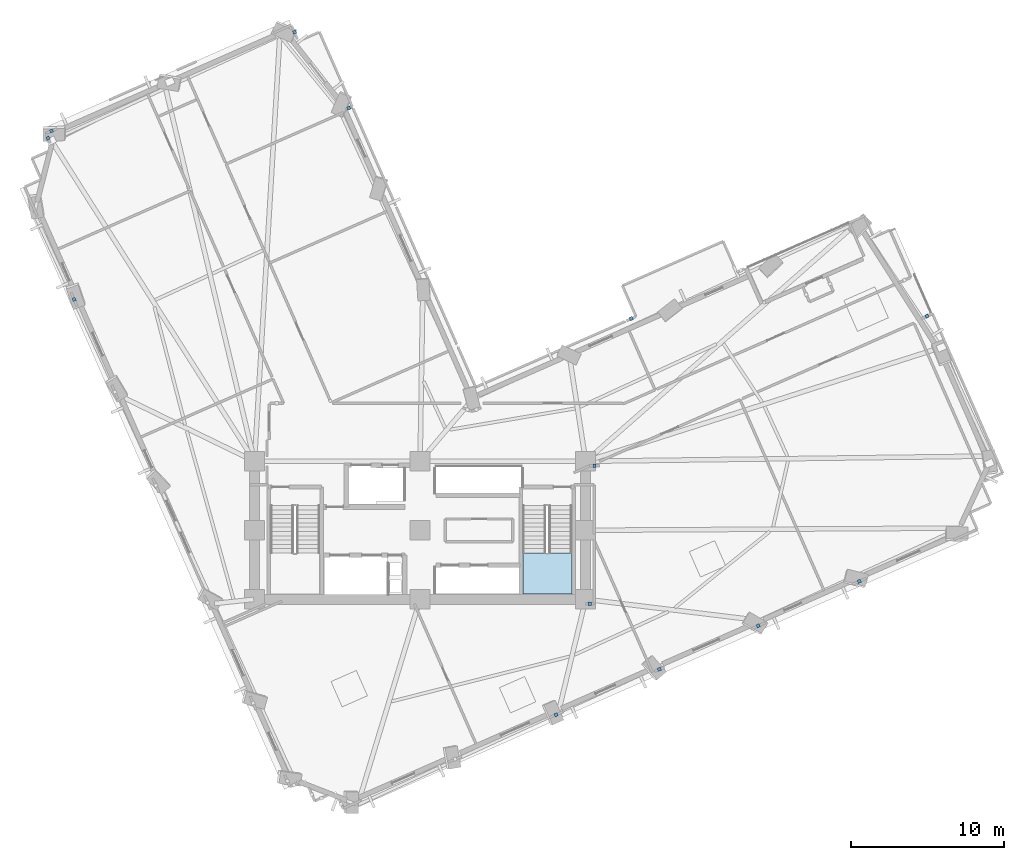
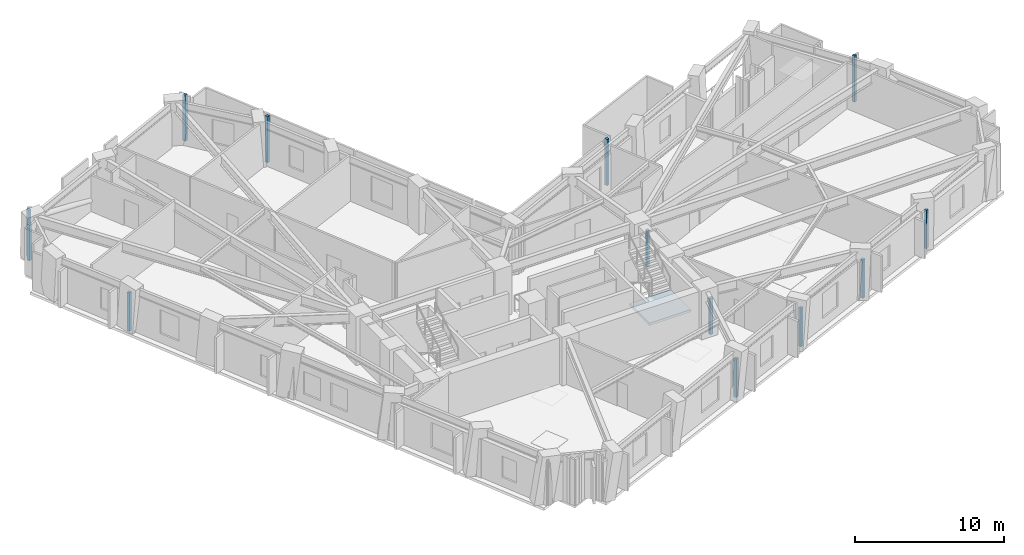
# One storey, part 5 of 15: 13 plates, 1 slab, 1 element without a shape of its own.
"""IFC4 building model written with IfcOpenShell, lengths in metres."""

from ifc_helpers import new_model, si_unit, direction, frame, origin, origin_2d, place, context, subcontext, project, spatial, polyline, rectangle, outline, extrude, material, layer, layer_set, type_object, element, aggregate, save


model = new_model("IFC4")

# Units and contexts
model_context = context("Model", 3, precision=1e-05, world=origin(), true_north=direction((0.0, 1.0)))
body_context = subcontext(model_context, "Body", "Model", "MODEL_VIEW")
ifc_project = project(units=[si_unit("LENGTHUNIT", "METRE"), si_unit("AREAUNIT", "SQUARE_METRE"), si_unit("VOLUMEUNIT", "CUBIC_METRE"), si_unit("PLANEANGLEUNIT", "RADIAN"), si_unit("MASSUNIT", "GRAM", prefix="KILO")], contexts=[model_context])

# Site, building, storey
site_placement = place(None, origin())
site = spatial("IfcSite", under=ifc_project, at=site_placement, CompositionType="ELEMENT")
building_placement = place(site_placement, origin())
building = spatial("IfcBuilding", under=site, at=building_placement, Name="Gaonmaruhae Medical Tower", CompositionType="ELEMENT")
storey_placement = place(building_placement, frame((0.0, 0.0, 124.39990234375)))
storey = spatial("IfcBuildingStorey", under=building, at=storey_placement, Name="L29", CompositionType="ELEMENT", Elevation=124.39990234375)

# Plates
ifc_material_1 = material(Name="Anodised aluminium 6063-T6", Category="aluminium")
ifc_layer_1 = layer(ifc_material_1, 0.011962890625)
ifc_layer_set_1 = layer_set([ifc_layer_1], Name="Anodised aluminium 6063-T6")
plate_type = type_object("IfcPlateType", Name="PP-01 Interior Partition Corner Stiffener Plate", PredefinedType="SHEET", material=ifc_layer_set_1)
plate_1_placement = place(storey_placement, frame((33.669921875, 0.27099609375, 0.0), z_axis=(0.0, 0.0, 1.0), x_axis=(-0.915402835884, -0.402539001907, 0.0)))
element("IfcPlate", 1, at=plate_1_placement, inside=storey, type_object=plate_type, Name="L29 Partition Corner Stiffener Plate PLT-L29-JGP-PW016", PredefinedType="SHEET", context=body_context, shape_type="SweptSolid", body=[
    extrude(rectangle(XDim=0.219970703125, YDim=0.219970703125, at=origin_2d()), origin(), (0.0, 0.0, 1.0), 3.1650390625),
])
for number, where, z_axis, x_axis, name in (
    (2, (35.875, 7.5, 0.0), (0.0, 0.0, 1.0), (1.0, 0.0, 0.0), "L29 Partition Corner Stiffener Plate PLT-L29-JGP-PW017"),
    (3, (36.1708984375, 16.5, 0.0), (0.0, 0.0, 1.0), (1.0, 0.0, 0.0), "L29 Partition Corner Stiffener Plate PLT-L29-JGP-PW020"),
):
    element("IfcPlate", number, at=place(storey_placement, frame(where, z_axis=z_axis, x_axis=x_axis)), inside=storey, type_object=plate_type, Name=name, PredefinedType="SHEET", context=body_context, shape_type="SweptSolid", body=[
        extrude(rectangle(XDim=0.219970703125, YDim=0.219970703125, at=origin_2d()), origin(), (0.0, 0.0, 1.0), 2.965087890625),
    ])
for number, where, z_axis, x_axis, name in (
    (4, (46.849609375, 6.070068359375, 0.0), (0.0, 0.0, 1.0), (-0.915388784064, -0.402570955249, 0.0), "L29 Partition Corner Stiffener Plate PLT-L29-JGP-PW023"),
    (5, (40.402587890625, 3.23291015625, 0.0), (0.0, 0.0, 1.0), (-0.915381757736, -0.402586931735, 0.0), "L29 Partition Corner Stiffener Plate PLT-L29-JGP-PW024"),
    (6, (53.439453125, 8.968994140625, 0.0), (0.0, 0.0, 1.0), (-0.915332565632, -0.40269876371, 0.0), "L29 Partition Corner Stiffener Plate PLT-L29-JGP-PW033"),
    (7, (2.234619140625, 27.35546875, 0.0), (0.0, 0.0, 1.0), (-0.402954357077, 0.915220075235, 0.0), "L29 Partition Corner Stiffener Plate PLT-L29-JGP-PW047"),
):
    element("IfcPlate", number, at=place(storey_placement, frame(where, z_axis=z_axis, x_axis=x_axis)), inside=storey, type_object=plate_type, Name=name, PredefinedType="SHEET", context=body_context, shape_type="SweptSolid", body=[
        extrude(rectangle(XDim=0.219970703125, YDim=0.219970703125, at=origin_2d()), origin(), (0.0, 0.0, 1.0), 3.1650390625),
    ])
plate_2_placement = place(storey_placement, frame((0.534423828125, 37.8740234375, 0.0), z_axis=(0.0, 0.0, 1.0), x_axis=(-0.402682788081, 0.915339593912, 0.0)))
element("IfcPlate", 8, at=plate_2_placement, inside=storey, type_object=plate_type, Name="L29 Partition Corner Stiffener Plate PLT-L29-JGP-PW049", PredefinedType="SHEET", context=body_context, shape_type="SweptSolid", body=[
    extrude(rectangle(XDim=0.219970703125, YDim=0.219970703125, at=origin_2d()), origin(), (0.0, 0.0, 1.0), 2.965087890625),
])
for number, where, z_axis, x_axis, name in (
    (9, (0.761474609375, 38.341552734375, 0.0), (0.0, 0.0, 1.0), (0.915318508236, 0.402730714598, 0.0), "L29 Partition Corner Stiffener Plate PLT-L29-JGP-PW050"),
    (10, (38.564453125, 26.110595703125, 0.0), (0.0, 0.0, 1.0), (0.915001921998, 0.403449479788, 0.0), "L29 Partition Corner Stiffener Plate PLT-L29-JGP-PW076"),
    (11, (20.1474609375, 39.83544921875, 0.0), (0.0, 0.0, 1.0), (-0.915100475986, -0.403225890599, 0.0), "L29 Partition Corner Stiffener Plate PLT-L29-JGP-PW086"),
    (12, (16.614013671875, 44.782470703125, 0.0), (0.0, 0.0, 1.0), (0.403513357989, -0.914973753681, 0.0), "L29 Partition Corner Stiffener Plate PLT-L29-JGP-PW089"),
    (13, (57.85546875, 26.262939453125, 0.0), (0.0, 0.0, 1.0), (0.915114550668, 0.403193947321, 0.0), "L29 Partition Corner Stiffener Plate PLT-L29-JGP-PW094"),
):
    element("IfcPlate", number, at=place(storey_placement, frame(where, z_axis=z_axis, x_axis=x_axis)), inside=storey, type_object=plate_type, Name=name, PredefinedType="SHEET", context=body_context, shape_type="SweptSolid", body=[
        extrude(rectangle(XDim=0.219970703125, YDim=0.219970703125, at=origin_2d()), origin(), (0.0, 0.0, 1.0), 3.780029296875),
    ])

# Stair, slab
ifc_material_2 = material(Name="Concrete C40/50", Category="concrete")
stair_type = type_object("IfcStairType", Name="ST-T1 Primary Core Escape Dogleg Stair", PredefinedType="TWO_QUARTER_TURN_STAIR", material=ifc_material_2)
stair_placement = place(storey_placement, origin())
stair = element("IfcStair", 14, at=stair_placement, inside=storey, type_object=stair_type, Name="L29 Protected Escape Stair ST-02", PredefinedType="TWO_QUARTER_TURN_STAIR")
ifc_layer_2 = layer(ifc_material_2, 0.199951171875)
ifc_layer_set_2 = layer_set([ifc_layer_2], Name="Concrete C40/50")
slab_type = type_object("IfcSlabType", Name="SL-200 Stair & Ramp Intermediate Concrete Landing", PredefinedType="LANDING", material=ifc_layer_set_2)
slab_placement = place(storey_placement, frame((0.0, 0.0, 1.800048828125)))
slab = element("IfcSlab", 15, at=slab_placement, type_object=slab_type, Name="ST-02 landing 1", PredefinedType="LANDING", context=body_context, shape_type="SweptSolid", body=[
    extrude(outline(polyline([(31.5, 10.820068359375), (31.5, 8.12890625), (34.699951171875, 8.12890625), (34.699951171875, 10.820068359375), (31.5, 10.820068359375)])), origin(), (0.0, 0.0, 1.0), 0.199951171875),
])
aggregate(stair, [slab])

save(model, "model.ifc")
